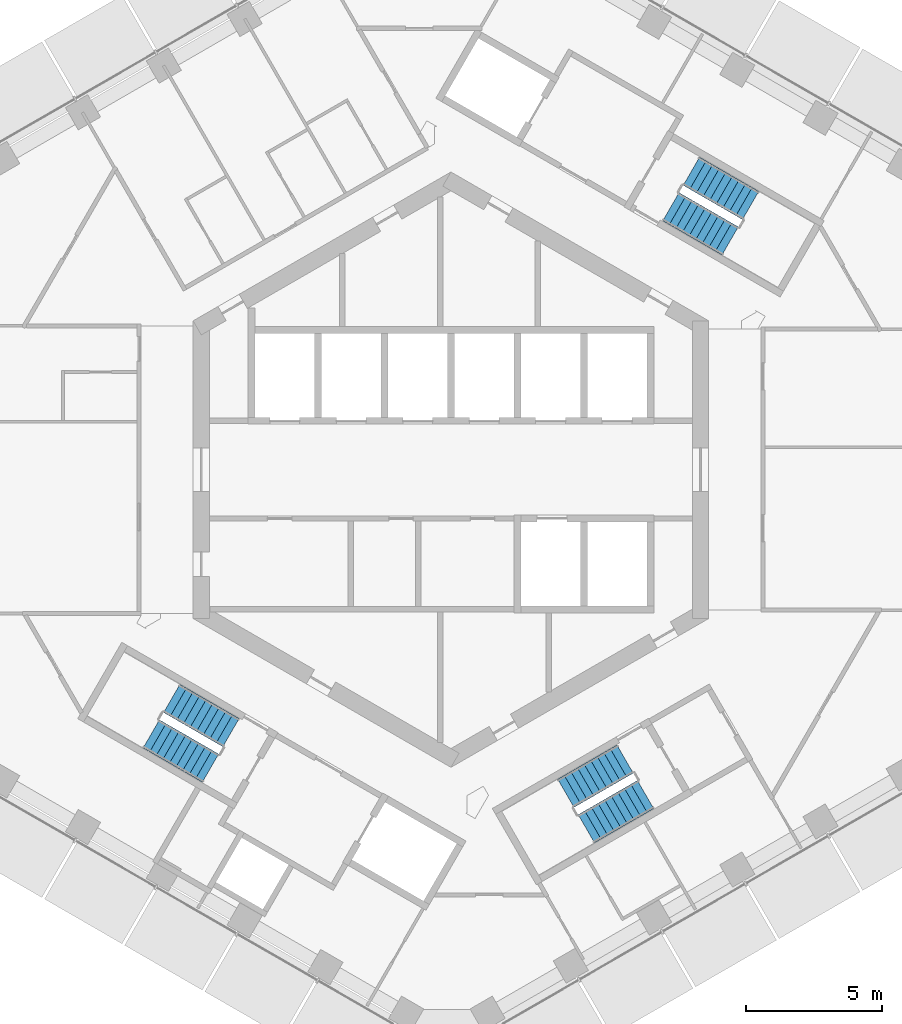
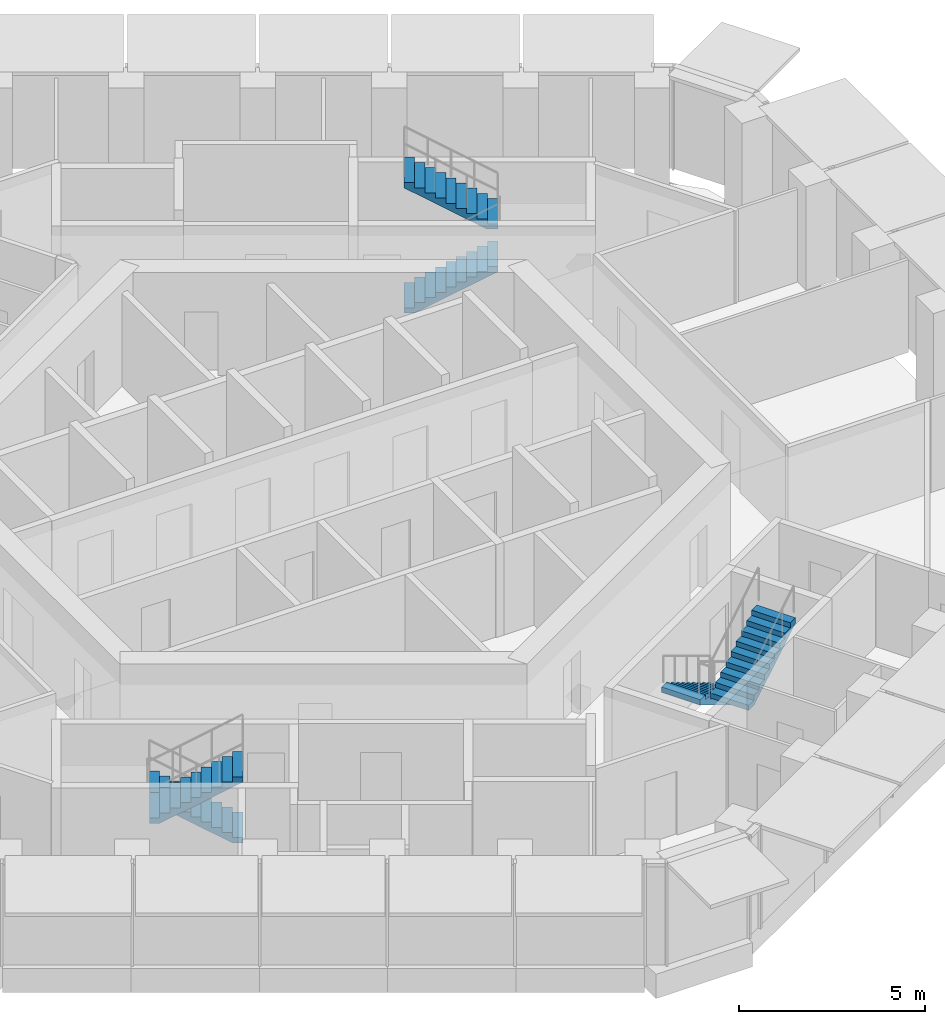
# One storey, part 17 of 18: 6 stair flights, 3 elements without a shape of their own.
"""IFC4 building model written with IfcOpenShell, lengths in metres."""

from ifc_helpers import new_model, si_unit, direction, frame, origin, place, context, subcontext, project, spatial, triangles, material, type_object, element, aggregate, save


model = new_model("IFC4")

# Units and contexts
model_context = context("Model", 3, precision=1e-05, world=origin(), true_north=direction((0.0, 1.0)))
body_context = subcontext(model_context, "Body", "Model", "MODEL_VIEW")
ifc_project = project(units=[si_unit("LENGTHUNIT", "METRE"), si_unit("AREAUNIT", "SQUARE_METRE"), si_unit("VOLUMEUNIT", "CUBIC_METRE"), si_unit("PLANEANGLEUNIT", "RADIAN"), si_unit("MASSUNIT", "GRAM", prefix="KILO")], contexts=[model_context])

# Site, building, storey
site_placement = place(None, origin())
site = spatial("IfcSite", under=ifc_project, at=site_placement, CompositionType="ELEMENT")
building_placement = place(site_placement, origin())
building = spatial("IfcBuilding", under=site, at=building_placement, Name="Ayvan Gate Tower", CompositionType="ELEMENT")
storey_placement = place(building_placement, frame((0.0, 0.0, 159.5)))
storey = spatial("IfcBuildingStorey", under=building, at=storey_placement, Name="L42", CompositionType="ELEMENT", Elevation=159.5)

# Stair, stair flights
ifc_material = material(Name="Concrete C40/50", Category="concrete")
stair_type = type_object("IfcStairType", Name="ST-EXIT", PredefinedType="HALF_TURN_STAIR", material=ifc_material)
stair_1_placement = place(storey_placement, origin())
stair_1 = element("IfcStair", 1, at=stair_1_placement, inside=storey, type_object=stair_type, Name="L42 Exit Stair S1", PredefinedType="HALF_TURN_STAIR")
stair_flight_type = type_object("IfcStairFlightType", Name="SFL-EXIT", PredefinedType="STRAIGHT", material=ifc_material)
stair_flight_1_placement = place(storey_placement, frame((8.106201171875, 9.690185546875, 0.0), z_axis=(0.0, 0.0, 1.0), x_axis=(0.866025403784, -0.5, 0.0)))
stair_flight_1 = element("IfcStairFlight", 2, at=stair_flight_1_placement, type_object=stair_flight_type, Name="STS1 flight 1", NumberOfRisers=10, NumberOfTreads=9, PredefinedType="STRAIGHT", RiserHeight=0.17, TreadLength=0.28, context=body_context, shape_type="Tessellation", body=[
    triangles([(0.288841, -0.599976, 0.0), (2.5205, -0.599976, 1.354936), (2.5205, -0.599976, 1.53), (2.24, -0.599976, 1.53), (2.24, -0.599976, 1.36), (1.96, -0.599976, 1.36), (1.96, -0.599976, 1.19), (1.68, -0.599976, 1.19), (1.68, -0.599976, 1.02), (1.4, -0.599976, 1.02), (1.4, -0.599976, 0.85), (1.12, -0.599976, 0.85), (1.12, -0.599976, 0.68), (0.84, -0.599976, 0.68), (0.84, -0.599976, 0.51), (0.56, -0.599976, 0.51), (0.56, -0.599976, 0.34), (0.28, -0.599976, 0.34), (0.28, -0.599976, 0.17), (-0.0005, -0.599976, 0.17), (-0.0005, -0.599976, 0.0), (0.288841, 0.0, 0.0), (2.5205, 0.0, 1.354936), (2.5205, 0.0, 1.53), (2.24, 0.0, 1.53), (2.24, 0.0, 1.36), (1.96, 0.0, 1.36), (1.96, 0.0, 1.19), (1.68, 0.0, 1.19), (1.68, 0.0, 1.02), (1.4, 0.0, 1.02), (1.4, 0.0, 0.85), (1.12, 0.0, 0.85), (1.12, 0.0, 0.68), (0.84, 0.0, 0.68), (0.84, 0.0, 0.51), (0.56, 0.0, 0.51), (0.56, 0.0, 0.34), (0.28, 0.0, 0.34), (0.28, 0.0, 0.17), (-0.0005, 0.0, 0.17), (-0.0005, 0.0, 0.0), (0.288841, 0.599976, 0.0), (2.5205, 0.599976, 1.354936), (2.5205, 0.599976, 1.53), (2.24, 0.599976, 1.53), (2.24, 0.599976, 1.36), (1.96, 0.599976, 1.36), (1.96, 0.599976, 1.19), (1.68, 0.599976, 1.19), (1.68, 0.599976, 1.02), (1.4, 0.599976, 1.02), (1.4, 0.599976, 0.85), (1.12, 0.599976, 0.85), (1.12, 0.599976, 0.68), (0.84, 0.599976, 0.68), (0.84, 0.599976, 0.51), (0.56, 0.599976, 0.51), (0.56, 0.599976, 0.34), (0.28, 0.599976, 0.34), (0.28, 0.599976, 0.17), (-0.0005, 0.599976, 0.17), (-0.0005, 0.599976, 0.0)], [[21, 1, 2], [63, 44, 43], [2, 3, 4], [44, 46, 45], [2, 4, 5], [44, 47, 46], [2, 5, 6], [44, 48, 47], [2, 6, 7], [44, 49, 48], [7, 8, 9], [49, 51, 50], [2, 7, 9], [44, 51, 49], [9, 10, 11], [51, 53, 52], [2, 9, 11], [44, 53, 51], [11, 12, 13], [53, 55, 54], [2, 11, 13], [44, 55, 53], [13, 14, 15], [55, 57, 56], [2, 13, 15], [44, 57, 55], [15, 16, 17], [57, 59, 58], [2, 15, 17], [44, 59, 57], [17, 18, 19], [59, 61, 60], [2, 17, 19], [44, 61, 59], [21, 2, 19], [63, 61, 44], [19, 20, 21], [61, 63, 62], [1, 22, 23], [1, 23, 2], [43, 23, 22], [43, 44, 23], [2, 23, 24], [2, 24, 3], [44, 24, 23], [44, 45, 24], [3, 24, 25], [3, 25, 4], [45, 25, 24], [45, 46, 25], [4, 25, 26], [4, 26, 5], [46, 26, 25], [46, 47, 26], [5, 26, 27], [5, 27, 6], [47, 27, 26], [47, 48, 27], [6, 27, 28], [6, 28, 7], [48, 28, 27], [48, 49, 28], [7, 28, 29], [7, 29, 8], [49, 29, 28], [49, 50, 29], [8, 29, 30], [8, 30, 9], [50, 30, 29], [50, 51, 30], [9, 30, 31], [9, 31, 10], [51, 31, 30], [51, 52, 31], [10, 31, 32], [10, 32, 11], [52, 32, 31], [52, 53, 32], [11, 32, 33], [11, 33, 12], [53, 33, 32], [53, 54, 33], [12, 33, 34], [12, 34, 13], [54, 34, 33], [54, 55, 34], [13, 34, 35], [13, 35, 14], [55, 35, 34], [55, 56, 35], [14, 35, 36], [14, 36, 15], [56, 36, 35], [56, 57, 36], [15, 36, 37], [15, 37, 16], [57, 37, 36], [57, 58, 37], [16, 37, 38], [16, 38, 17], [58, 38, 37], [58, 59, 38], [17, 38, 39], [17, 39, 18], [59, 39, 38], [59, 60, 39], [18, 39, 40], [18, 40, 19], [60, 40, 39], [60, 61, 40], [19, 40, 41], [19, 41, 20], [61, 41, 40], [61, 62, 41], [20, 41, 42], [20, 42, 21], [62, 42, 41], [62, 63, 42], [21, 42, 22], [21, 22, 1], [63, 22, 42], [63, 43, 22]], closed=True),
])
stair_flight_2_placement = place(storey_placement, frame((11.04345703125, 9.73779296875, 1.699951171875), z_axis=(0.0, 0.0, 1.0), x_axis=(-0.866025403784, 0.5, 0.0)))
stair_flight_2 = element("IfcStairFlight", 3, at=stair_flight_2_placement, type_object=stair_flight_type, Name="STS1 flight 2", NumberOfRisers=10, NumberOfTreads=9, PredefinedType="STRAIGHT", RiserHeight=0.17, TreadLength=0.28, context=body_context, shape_type="Tessellation", body=[
    triangles([(0.288841, -0.599976, 0.0), (2.5205, -0.599976, 1.354936), (2.5205, -0.599976, 1.53), (2.24, -0.599976, 1.53), (2.24, -0.599976, 1.36), (1.96, -0.599976, 1.36), (1.96, -0.599976, 1.19), (1.68, -0.599976, 1.19), (1.68, -0.599976, 1.02), (1.4, -0.599976, 1.02), (1.4, -0.599976, 0.85), (1.12, -0.599976, 0.85), (1.12, -0.599976, 0.68), (0.84, -0.599976, 0.68), (0.84, -0.599976, 0.51), (0.56, -0.599976, 0.51), (0.56, -0.599976, 0.34), (0.28, -0.599976, 0.34), (0.28, -0.599976, 0.17), (-0.0005, -0.599976, 0.17), (-0.0005, -0.599976, 0.0), (0.288841, 0.0, 0.0), (2.5205, 0.0, 1.354936), (2.5205, 0.0, 1.53), (2.24, 0.0, 1.53), (2.24, 0.0, 1.36), (1.96, 0.0, 1.36), (1.96, 0.0, 1.19), (1.68, 0.0, 1.19), (1.68, 0.0, 1.02), (1.4, 0.0, 1.02), (1.4, 0.0, 0.85), (1.12, 0.0, 0.85), (1.12, 0.0, 0.68), (0.84, 0.0, 0.68), (0.84, 0.0, 0.51), (0.56, 0.0, 0.51), (0.56, 0.0, 0.34), (0.28, 0.0, 0.34), (0.28, 0.0, 0.17), (-0.0005, 0.0, 0.17), (-0.0005, 0.0, 0.0), (0.288841, 0.599976, 0.0), (2.5205, 0.599976, 1.354936), (2.5205, 0.599976, 1.53), (2.24, 0.599976, 1.53), (2.24, 0.599976, 1.36), (1.96, 0.599976, 1.36), (1.96, 0.599976, 1.19), (1.68, 0.599976, 1.19), (1.68, 0.599976, 1.02), (1.4, 0.599976, 1.02), (1.4, 0.599976, 0.85), (1.12, 0.599976, 0.85), (1.12, 0.599976, 0.68), (0.84, 0.599976, 0.68), (0.84, 0.599976, 0.51), (0.56, 0.599976, 0.51), (0.56, 0.599976, 0.34), (0.28, 0.599976, 0.34), (0.28, 0.599976, 0.17), (-0.0005, 0.599976, 0.17), (-0.0005, 0.599976, 0.0)], [[21, 1, 2], [63, 44, 43], [2, 3, 4], [44, 46, 45], [2, 4, 5], [44, 47, 46], [2, 5, 6], [44, 48, 47], [2, 6, 7], [44, 49, 48], [7, 8, 9], [49, 51, 50], [2, 7, 9], [44, 51, 49], [9, 10, 11], [51, 53, 52], [2, 9, 11], [44, 53, 51], [11, 12, 13], [53, 55, 54], [2, 11, 13], [44, 55, 53], [13, 14, 15], [55, 57, 56], [2, 13, 15], [44, 57, 55], [15, 16, 17], [57, 59, 58], [2, 15, 17], [44, 59, 57], [17, 18, 19], [59, 61, 60], [2, 17, 19], [44, 61, 59], [21, 2, 19], [63, 61, 44], [19, 20, 21], [61, 63, 62], [1, 22, 23], [1, 23, 2], [43, 23, 22], [43, 44, 23], [2, 23, 24], [2, 24, 3], [44, 24, 23], [44, 45, 24], [3, 24, 25], [3, 25, 4], [45, 25, 24], [45, 46, 25], [4, 25, 26], [4, 26, 5], [46, 26, 25], [46, 47, 26], [5, 26, 27], [5, 27, 6], [47, 27, 26], [47, 48, 27], [6, 27, 28], [6, 28, 7], [48, 28, 27], [48, 49, 28], [7, 28, 29], [7, 29, 8], [49, 29, 28], [49, 50, 29], [8, 29, 30], [8, 30, 9], [50, 30, 29], [50, 51, 30], [9, 30, 31], [9, 31, 10], [51, 31, 30], [51, 52, 31], [10, 31, 32], [10, 32, 11], [52, 32, 31], [52, 53, 32], [11, 32, 33], [11, 33, 12], [53, 33, 32], [53, 54, 33], [12, 33, 34], [12, 34, 13], [54, 34, 33], [54, 55, 34], [13, 34, 35], [13, 35, 14], [55, 35, 34], [55, 56, 35], [14, 35, 36], [14, 36, 15], [56, 36, 35], [56, 57, 36], [15, 36, 37], [15, 37, 16], [57, 37, 36], [57, 58, 37], [16, 37, 38], [16, 38, 17], [58, 38, 37], [58, 59, 38], [17, 38, 39], [17, 39, 18], [59, 39, 38], [59, 60, 39], [18, 39, 40], [18, 40, 19], [60, 40, 39], [60, 61, 40], [19, 40, 41], [19, 41, 20], [61, 41, 40], [61, 62, 41], [20, 41, 42], [20, 42, 21], [62, 42, 41], [62, 63, 42], [21, 42, 22], [21, 22, 1], [63, 22, 42], [63, 43, 22]], closed=True),
])
aggregate(stair_1, [stair_flight_1, stair_flight_2])

stair_2_placement = place(storey_placement, origin())
stair_2 = element("IfcStair", 4, at=stair_2_placement, inside=storey, type_object=stair_type, Name="L42 Exit Stair S2", PredefinedType="HALF_TURN_STAIR")
stair_flight_3_placement = place(storey_placement, frame((-8.106201171875, -9.690185546875, 0.0), z_axis=(0.0, 0.0, 1.0), x_axis=(-0.866025403784, 0.5, 0.0)))
stair_flight_3 = element("IfcStairFlight", 5, at=stair_flight_3_placement, type_object=stair_flight_type, Name="STS2 flight 1", NumberOfRisers=10, NumberOfTreads=9, PredefinedType="STRAIGHT", RiserHeight=0.17, TreadLength=0.28, context=body_context, shape_type="Tessellation", body=[
    triangles([(0.288841, -0.599976, 0.0), (2.5205, -0.599976, 1.354936), (2.5205, -0.599976, 1.53), (2.24, -0.599976, 1.53), (2.24, -0.599976, 1.36), (1.96, -0.599976, 1.36), (1.96, -0.599976, 1.19), (1.68, -0.599976, 1.19), (1.68, -0.599976, 1.02), (1.4, -0.599976, 1.02), (1.4, -0.599976, 0.85), (1.12, -0.599976, 0.85), (1.12, -0.599976, 0.68), (0.84, -0.599976, 0.68), (0.84, -0.599976, 0.51), (0.56, -0.599976, 0.51), (0.56, -0.599976, 0.34), (0.28, -0.599976, 0.34), (0.28, -0.599976, 0.17), (-0.0005, -0.599976, 0.17), (-0.0005, -0.599976, 0.0), (0.288841, 0.0, 0.0), (2.5205, 0.0, 1.354936), (2.5205, 0.0, 1.53), (2.24, 0.0, 1.53), (2.24, 0.0, 1.36), (1.96, 0.0, 1.36), (1.96, 0.0, 1.19), (1.68, 0.0, 1.19), (1.68, 0.0, 1.02), (1.4, 0.0, 1.02), (1.4, 0.0, 0.85), (1.12, 0.0, 0.85), (1.12, 0.0, 0.68), (0.84, 0.0, 0.68), (0.84, 0.0, 0.51), (0.56, 0.0, 0.51), (0.56, 0.0, 0.34), (0.28, 0.0, 0.34), (0.28, 0.0, 0.17), (-0.0005, 0.0, 0.17), (-0.0005, 0.0, 0.0), (0.288841, 0.599976, 0.0), (2.5205, 0.599976, 1.354936), (2.5205, 0.599976, 1.53), (2.24, 0.599976, 1.53), (2.24, 0.599976, 1.36), (1.96, 0.599976, 1.36), (1.96, 0.599976, 1.19), (1.68, 0.599976, 1.19), (1.68, 0.599976, 1.02), (1.4, 0.599976, 1.02), (1.4, 0.599976, 0.85), (1.12, 0.599976, 0.85), (1.12, 0.599976, 0.68), (0.84, 0.599976, 0.68), (0.84, 0.599976, 0.51), (0.56, 0.599976, 0.51), (0.56, 0.599976, 0.34), (0.28, 0.599976, 0.34), (0.28, 0.599976, 0.17), (-0.0005, 0.599976, 0.17), (-0.0005, 0.599976, 0.0)], [[21, 1, 2], [63, 44, 43], [2, 3, 4], [44, 46, 45], [2, 4, 5], [44, 47, 46], [2, 5, 6], [44, 48, 47], [2, 6, 7], [44, 49, 48], [7, 8, 9], [49, 51, 50], [2, 7, 9], [44, 51, 49], [9, 10, 11], [51, 53, 52], [2, 9, 11], [44, 53, 51], [11, 12, 13], [53, 55, 54], [2, 11, 13], [44, 55, 53], [13, 14, 15], [55, 57, 56], [2, 13, 15], [44, 57, 55], [15, 16, 17], [57, 59, 58], [2, 15, 17], [44, 59, 57], [17, 18, 19], [59, 61, 60], [2, 17, 19], [44, 61, 59], [21, 2, 19], [63, 61, 44], [19, 20, 21], [61, 63, 62], [1, 22, 23], [1, 23, 2], [43, 23, 22], [43, 44, 23], [2, 23, 24], [2, 24, 3], [44, 24, 23], [44, 45, 24], [3, 24, 25], [3, 25, 4], [45, 25, 24], [45, 46, 25], [4, 25, 26], [4, 26, 5], [46, 26, 25], [46, 47, 26], [5, 26, 27], [5, 27, 6], [47, 27, 26], [47, 48, 27], [6, 27, 28], [6, 28, 7], [48, 28, 27], [48, 49, 28], [7, 28, 29], [7, 29, 8], [49, 29, 28], [49, 50, 29], [8, 29, 30], [8, 30, 9], [50, 30, 29], [50, 51, 30], [9, 30, 31], [9, 31, 10], [51, 31, 30], [51, 52, 31], [10, 31, 32], [10, 32, 11], [52, 32, 31], [52, 53, 32], [11, 32, 33], [11, 33, 12], [53, 33, 32], [53, 54, 33], [12, 33, 34], [12, 34, 13], [54, 34, 33], [54, 55, 34], [13, 34, 35], [13, 35, 14], [55, 35, 34], [55, 56, 35], [14, 35, 36], [14, 36, 15], [56, 36, 35], [56, 57, 36], [15, 36, 37], [15, 37, 16], [57, 37, 36], [57, 58, 37], [16, 37, 38], [16, 38, 17], [58, 38, 37], [58, 59, 38], [17, 38, 39], [17, 39, 18], [59, 39, 38], [59, 60, 39], [18, 39, 40], [18, 40, 19], [60, 40, 39], [60, 61, 40], [19, 40, 41], [19, 41, 20], [61, 41, 40], [61, 62, 41], [20, 41, 42], [20, 42, 21], [62, 42, 41], [62, 63, 42], [21, 42, 22], [21, 22, 1], [63, 22, 42], [63, 43, 22]], closed=True),
])
stair_flight_4_placement = place(storey_placement, frame((-11.04345703125, -9.73779296875, 1.699951171875), z_axis=(0.0, 0.0, 1.0), x_axis=(0.866025403784, -0.5, 0.0)))
stair_flight_4 = element("IfcStairFlight", 6, at=stair_flight_4_placement, type_object=stair_flight_type, Name="STS2 flight 2", NumberOfRisers=10, NumberOfTreads=9, PredefinedType="STRAIGHT", RiserHeight=0.17, TreadLength=0.28, context=body_context, shape_type="Tessellation", body=[
    triangles([(0.288841, -0.599976, 0.0), (2.5205, -0.599976, 1.354936), (2.5205, -0.599976, 1.53), (2.24, -0.599976, 1.53), (2.24, -0.599976, 1.36), (1.96, -0.599976, 1.36), (1.96, -0.599976, 1.19), (1.68, -0.599976, 1.19), (1.68, -0.599976, 1.02), (1.4, -0.599976, 1.02), (1.4, -0.599976, 0.85), (1.12, -0.599976, 0.85), (1.12, -0.599976, 0.68), (0.84, -0.599976, 0.68), (0.84, -0.599976, 0.51), (0.56, -0.599976, 0.51), (0.56, -0.599976, 0.34), (0.28, -0.599976, 0.34), (0.28, -0.599976, 0.17), (-0.0005, -0.599976, 0.17), (-0.0005, -0.599976, 0.0), (0.288841, 0.0, 0.0), (2.5205, 0.0, 1.354936), (2.5205, 0.0, 1.53), (2.24, 0.0, 1.53), (2.24, 0.0, 1.36), (1.96, 0.0, 1.36), (1.96, 0.0, 1.19), (1.68, 0.0, 1.19), (1.68, 0.0, 1.02), (1.4, 0.0, 1.02), (1.4, 0.0, 0.85), (1.12, 0.0, 0.85), (1.12, 0.0, 0.68), (0.84, 0.0, 0.68), (0.84, 0.0, 0.51), (0.56, 0.0, 0.51), (0.56, 0.0, 0.34), (0.28, 0.0, 0.34), (0.28, 0.0, 0.17), (-0.0005, 0.0, 0.17), (-0.0005, 0.0, 0.0), (0.288841, 0.599976, 0.0), (2.5205, 0.599976, 1.354936), (2.5205, 0.599976, 1.53), (2.24, 0.599976, 1.53), (2.24, 0.599976, 1.36), (1.96, 0.599976, 1.36), (1.96, 0.599976, 1.19), (1.68, 0.599976, 1.19), (1.68, 0.599976, 1.02), (1.4, 0.599976, 1.02), (1.4, 0.599976, 0.85), (1.12, 0.599976, 0.85), (1.12, 0.599976, 0.68), (0.84, 0.599976, 0.68), (0.84, 0.599976, 0.51), (0.56, 0.599976, 0.51), (0.56, 0.599976, 0.34), (0.28, 0.599976, 0.34), (0.28, 0.599976, 0.17), (-0.0005, 0.599976, 0.17), (-0.0005, 0.599976, 0.0)], [[21, 1, 2], [63, 44, 43], [2, 3, 4], [44, 46, 45], [2, 4, 5], [44, 47, 46], [2, 5, 6], [44, 48, 47], [2, 6, 7], [44, 49, 48], [7, 8, 9], [49, 51, 50], [2, 7, 9], [44, 51, 49], [9, 10, 11], [51, 53, 52], [2, 9, 11], [44, 53, 51], [11, 12, 13], [53, 55, 54], [2, 11, 13], [44, 55, 53], [13, 14, 15], [55, 57, 56], [2, 13, 15], [44, 57, 55], [15, 16, 17], [57, 59, 58], [2, 15, 17], [44, 59, 57], [17, 18, 19], [59, 61, 60], [2, 17, 19], [44, 61, 59], [21, 2, 19], [63, 61, 44], [19, 20, 21], [61, 63, 62], [1, 22, 23], [1, 23, 2], [43, 23, 22], [43, 44, 23], [2, 23, 24], [2, 24, 3], [44, 24, 23], [44, 45, 24], [3, 24, 25], [3, 25, 4], [45, 25, 24], [45, 46, 25], [4, 25, 26], [4, 26, 5], [46, 26, 25], [46, 47, 26], [5, 26, 27], [5, 27, 6], [47, 27, 26], [47, 48, 27], [6, 27, 28], [6, 28, 7], [48, 28, 27], [48, 49, 28], [7, 28, 29], [7, 29, 8], [49, 29, 28], [49, 50, 29], [8, 29, 30], [8, 30, 9], [50, 30, 29], [50, 51, 30], [9, 30, 31], [9, 31, 10], [51, 31, 30], [51, 52, 31], [10, 31, 32], [10, 32, 11], [52, 32, 31], [52, 53, 32], [11, 32, 33], [11, 33, 12], [53, 33, 32], [53, 54, 33], [12, 33, 34], [12, 34, 13], [54, 34, 33], [54, 55, 34], [13, 34, 35], [13, 35, 14], [55, 35, 34], [55, 56, 35], [14, 35, 36], [14, 36, 15], [56, 36, 35], [56, 57, 36], [15, 36, 37], [15, 37, 16], [57, 37, 36], [57, 58, 37], [16, 37, 38], [16, 38, 17], [58, 38, 37], [58, 59, 38], [17, 38, 39], [17, 39, 18], [59, 39, 38], [59, 60, 39], [18, 39, 40], [18, 40, 19], [60, 40, 39], [60, 61, 40], [19, 40, 41], [19, 41, 20], [61, 41, 40], [61, 62, 41], [20, 41, 42], [20, 42, 21], [62, 42, 41], [62, 63, 42], [21, 42, 22], [21, 22, 1], [63, 22, 42], [63, 43, 22]], closed=True),
])
aggregate(stair_2, [stair_flight_3, stair_flight_4])

stair_3_placement = place(storey_placement, origin())
stair_3 = element("IfcStair", 7, at=stair_3_placement, inside=storey, type_object=stair_type, Name="L42 Exit Stair S3", PredefinedType="HALF_TURN_STAIR")
stair_flight_5_placement = place(storey_placement, frame((6.417236328125, -10.665283203125, 0.0), z_axis=(0.0, 0.0, 1.0), x_axis=(-0.866025403784, -0.5, 0.0)))
stair_flight_5 = element("IfcStairFlight", 8, at=stair_flight_5_placement, type_object=stair_flight_type, Name="STS3 flight 1", NumberOfRisers=10, NumberOfTreads=9, PredefinedType="STRAIGHT", RiserHeight=0.17, TreadLength=0.28, context=body_context, shape_type="Tessellation", body=[
    triangles([(0.288841, -0.599976, 0.0), (2.5205, -0.599976, 1.354936), (2.5205, -0.599976, 1.53), (2.24, -0.599976, 1.53), (2.24, -0.599976, 1.36), (1.96, -0.599976, 1.36), (1.96, -0.599976, 1.19), (1.68, -0.599976, 1.19), (1.68, -0.599976, 1.02), (1.4, -0.599976, 1.02), (1.4, -0.599976, 0.85), (1.12, -0.599976, 0.85), (1.12, -0.599976, 0.68), (0.84, -0.599976, 0.68), (0.84, -0.599976, 0.51), (0.56, -0.599976, 0.51), (0.56, -0.599976, 0.34), (0.28, -0.599976, 0.34), (0.28, -0.599976, 0.17), (-0.0005, -0.599976, 0.17), (-0.0005, -0.599976, 0.0), (0.288841, 0.0, 0.0), (2.5205, 0.0, 1.354936), (2.5205, 0.0, 1.53), (2.24, 0.0, 1.53), (2.24, 0.0, 1.36), (1.96, 0.0, 1.36), (1.96, 0.0, 1.19), (1.68, 0.0, 1.19), (1.68, 0.0, 1.02), (1.4, 0.0, 1.02), (1.4, 0.0, 0.85), (1.12, 0.0, 0.85), (1.12, 0.0, 0.68), (0.84, 0.0, 0.68), (0.84, 0.0, 0.51), (0.56, 0.0, 0.51), (0.56, 0.0, 0.34), (0.28, 0.0, 0.34), (0.28, 0.0, 0.17), (-0.0005, 0.0, 0.17), (-0.0005, 0.0, 0.0), (0.288841, 0.599976, 0.0), (2.5205, 0.599976, 1.354936), (2.5205, 0.599976, 1.53), (2.24, 0.599976, 1.53), (2.24, 0.599976, 1.36), (1.96, 0.599976, 1.36), (1.96, 0.599976, 1.19), (1.68, 0.599976, 1.19), (1.68, 0.599976, 1.02), (1.4, 0.599976, 1.02), (1.4, 0.599976, 0.85), (1.12, 0.599976, 0.85), (1.12, 0.599976, 0.68), (0.84, 0.599976, 0.68), (0.84, 0.599976, 0.51), (0.56, 0.599976, 0.51), (0.56, 0.599976, 0.34), (0.28, 0.599976, 0.34), (0.28, 0.599976, 0.17), (-0.0005, 0.599976, 0.17), (-0.0005, 0.599976, 0.0)], [[21, 1, 2], [63, 44, 43], [2, 3, 4], [44, 46, 45], [2, 4, 5], [44, 47, 46], [2, 5, 6], [44, 48, 47], [2, 6, 7], [44, 49, 48], [7, 8, 9], [49, 51, 50], [2, 7, 9], [44, 51, 49], [9, 10, 11], [51, 53, 52], [2, 9, 11], [44, 53, 51], [11, 12, 13], [53, 55, 54], [2, 11, 13], [44, 55, 53], [13, 14, 15], [55, 57, 56], [2, 13, 15], [44, 57, 55], [15, 16, 17], [57, 59, 58], [2, 15, 17], [44, 59, 57], [17, 18, 19], [59, 61, 60], [2, 17, 19], [44, 61, 59], [21, 2, 19], [63, 61, 44], [19, 20, 21], [61, 63, 62], [1, 22, 23], [1, 23, 2], [43, 23, 22], [43, 44, 23], [2, 23, 24], [2, 24, 3], [44, 24, 23], [44, 45, 24], [3, 24, 25], [3, 25, 4], [45, 25, 24], [45, 46, 25], [4, 25, 26], [4, 26, 5], [46, 26, 25], [46, 47, 26], [5, 26, 27], [5, 27, 6], [47, 27, 26], [47, 48, 27], [6, 27, 28], [6, 28, 7], [48, 28, 27], [48, 49, 28], [7, 28, 29], [7, 29, 8], [49, 29, 28], [49, 50, 29], [8, 29, 30], [8, 30, 9], [50, 30, 29], [50, 51, 30], [9, 30, 31], [9, 31, 10], [51, 31, 30], [51, 52, 31], [10, 31, 32], [10, 32, 11], [52, 32, 31], [52, 53, 32], [11, 32, 33], [11, 33, 12], [53, 33, 32], [53, 54, 33], [12, 33, 34], [12, 34, 13], [54, 34, 33], [54, 55, 34], [13, 34, 35], [13, 35, 14], [55, 35, 34], [55, 56, 35], [14, 35, 36], [14, 36, 15], [56, 36, 35], [56, 57, 36], [15, 36, 37], [15, 37, 16], [57, 37, 36], [57, 58, 37], [16, 37, 38], [16, 38, 17], [58, 38, 37], [58, 59, 38], [17, 38, 39], [17, 39, 18], [59, 39, 38], [59, 60, 39], [18, 39, 40], [18, 40, 19], [60, 40, 39], [60, 61, 40], [19, 40, 41], [19, 41, 20], [61, 41, 40], [61, 62, 41], [20, 41, 42], [20, 42, 21], [62, 42, 41], [62, 63, 42], [21, 42, 22], [21, 22, 1], [63, 22, 42], [63, 43, 22]], closed=True),
])
stair_flight_6_placement = place(storey_placement, frame((4.989990234375, -13.23291015625, 1.699951171875), z_axis=(0.0, 0.0, 1.0), x_axis=(0.866025403784, 0.5, 0.0)))
stair_flight_6 = element("IfcStairFlight", 9, at=stair_flight_6_placement, type_object=stair_flight_type, Name="STS3 flight 2", NumberOfRisers=10, NumberOfTreads=9, PredefinedType="STRAIGHT", RiserHeight=0.17, TreadLength=0.28, context=body_context, shape_type="Tessellation", body=[
    triangles([(0.288841, -0.599976, 0.0), (2.5205, -0.599976, 1.354936), (2.5205, -0.599976, 1.53), (2.24, -0.599976, 1.53), (2.24, -0.599976, 1.36), (1.96, -0.599976, 1.36), (1.96, -0.599976, 1.19), (1.68, -0.599976, 1.19), (1.68, -0.599976, 1.02), (1.4, -0.599976, 1.02), (1.4, -0.599976, 0.85), (1.12, -0.599976, 0.85), (1.12, -0.599976, 0.68), (0.84, -0.599976, 0.68), (0.84, -0.599976, 0.51), (0.56, -0.599976, 0.51), (0.56, -0.599976, 0.34), (0.28, -0.599976, 0.34), (0.28, -0.599976, 0.17), (-0.0005, -0.599976, 0.17), (-0.0005, -0.599976, 0.0), (0.288841, 0.0, 0.0), (2.5205, 0.0, 1.354936), (2.5205, 0.0, 1.53), (2.24, 0.0, 1.53), (2.24, 0.0, 1.36), (1.96, 0.0, 1.36), (1.96, 0.0, 1.19), (1.68, 0.0, 1.19), (1.68, 0.0, 1.02), (1.4, 0.0, 1.02), (1.4, 0.0, 0.85), (1.12, 0.0, 0.85), (1.12, 0.0, 0.68), (0.84, 0.0, 0.68), (0.84, 0.0, 0.51), (0.56, 0.0, 0.51), (0.56, 0.0, 0.34), (0.28, 0.0, 0.34), (0.28, 0.0, 0.17), (-0.0005, 0.0, 0.17), (-0.0005, 0.0, 0.0), (0.288841, 0.599976, 0.0), (2.5205, 0.599976, 1.354936), (2.5205, 0.599976, 1.53), (2.24, 0.599976, 1.53), (2.24, 0.599976, 1.36), (1.96, 0.599976, 1.36), (1.96, 0.599976, 1.19), (1.68, 0.599976, 1.19), (1.68, 0.599976, 1.02), (1.4, 0.599976, 1.02), (1.4, 0.599976, 0.85), (1.12, 0.599976, 0.85), (1.12, 0.599976, 0.68), (0.84, 0.599976, 0.68), (0.84, 0.599976, 0.51), (0.56, 0.599976, 0.51), (0.56, 0.599976, 0.34), (0.28, 0.599976, 0.34), (0.28, 0.599976, 0.17), (-0.0005, 0.599976, 0.17), (-0.0005, 0.599976, 0.0)], [[21, 1, 2], [63, 44, 43], [2, 3, 4], [44, 46, 45], [2, 4, 5], [44, 47, 46], [2, 5, 6], [44, 48, 47], [2, 6, 7], [44, 49, 48], [7, 8, 9], [49, 51, 50], [2, 7, 9], [44, 51, 49], [9, 10, 11], [51, 53, 52], [2, 9, 11], [44, 53, 51], [11, 12, 13], [53, 55, 54], [2, 11, 13], [44, 55, 53], [13, 14, 15], [55, 57, 56], [2, 13, 15], [44, 57, 55], [15, 16, 17], [57, 59, 58], [2, 15, 17], [44, 59, 57], [17, 18, 19], [59, 61, 60], [2, 17, 19], [44, 61, 59], [21, 2, 19], [63, 61, 44], [19, 20, 21], [61, 63, 62], [1, 22, 23], [1, 23, 2], [43, 23, 22], [43, 44, 23], [2, 23, 24], [2, 24, 3], [44, 24, 23], [44, 45, 24], [3, 24, 25], [3, 25, 4], [45, 25, 24], [45, 46, 25], [4, 25, 26], [4, 26, 5], [46, 26, 25], [46, 47, 26], [5, 26, 27], [5, 27, 6], [47, 27, 26], [47, 48, 27], [6, 27, 28], [6, 28, 7], [48, 28, 27], [48, 49, 28], [7, 28, 29], [7, 29, 8], [49, 29, 28], [49, 50, 29], [8, 29, 30], [8, 30, 9], [50, 30, 29], [50, 51, 30], [9, 30, 31], [9, 31, 10], [51, 31, 30], [51, 52, 31], [10, 31, 32], [10, 32, 11], [52, 32, 31], [52, 53, 32], [11, 32, 33], [11, 33, 12], [53, 33, 32], [53, 54, 33], [12, 33, 34], [12, 34, 13], [54, 34, 33], [54, 55, 34], [13, 34, 35], [13, 35, 14], [55, 35, 34], [55, 56, 35], [14, 35, 36], [14, 36, 15], [56, 36, 35], [56, 57, 36], [15, 36, 37], [15, 37, 16], [57, 37, 36], [57, 58, 37], [16, 37, 38], [16, 38, 17], [58, 38, 37], [58, 59, 38], [17, 38, 39], [17, 39, 18], [59, 39, 38], [59, 60, 39], [18, 39, 40], [18, 40, 19], [60, 40, 39], [60, 61, 40], [19, 40, 41], [19, 41, 20], [61, 41, 40], [61, 62, 41], [20, 41, 42], [20, 42, 21], [62, 42, 41], [62, 63, 42], [21, 42, 22], [21, 22, 1], [63, 22, 42], [63, 43, 22]], closed=True),
])
aggregate(stair_3, [stair_flight_5, stair_flight_6])

save(model, "model.ifc")
